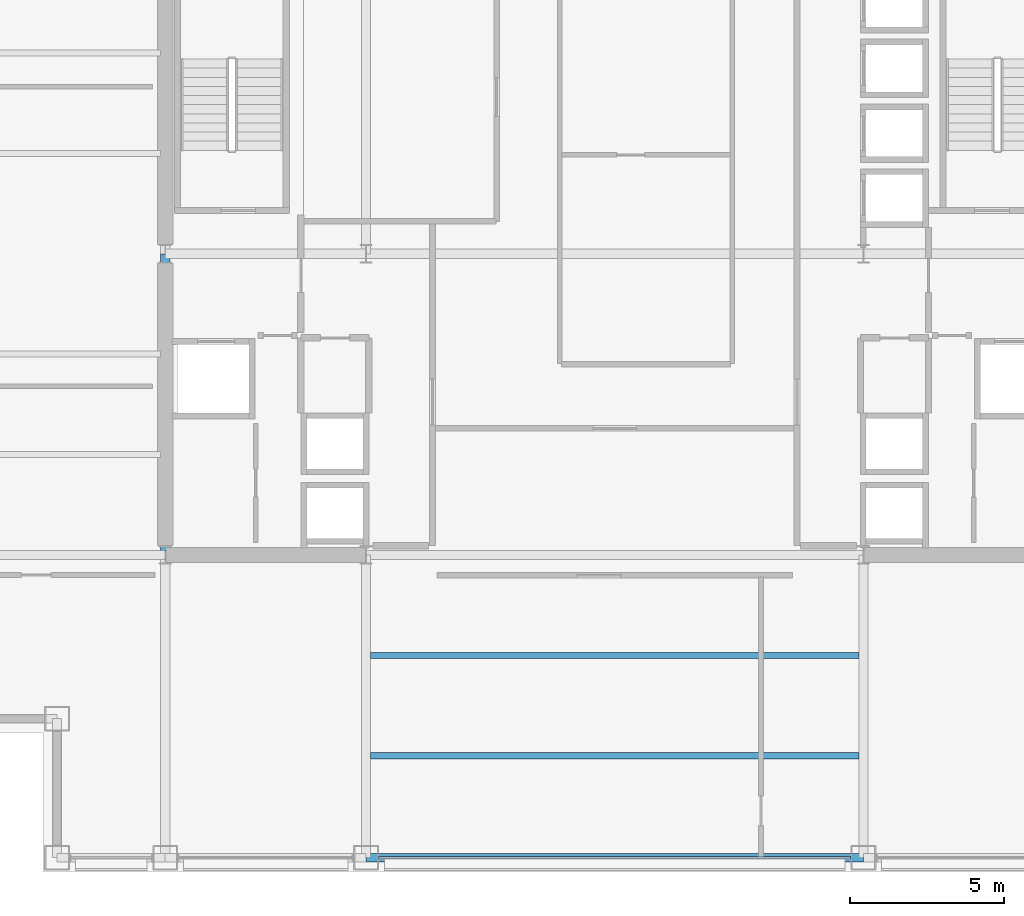
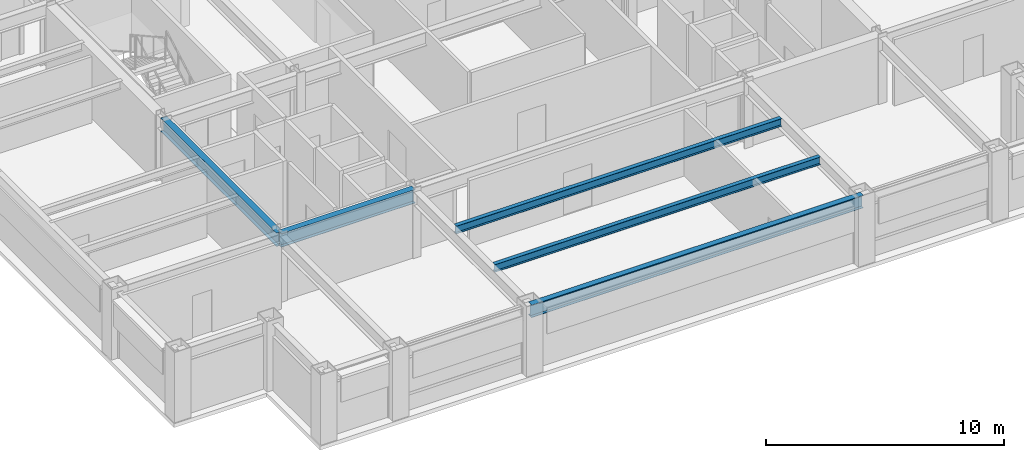
# One storey, part 5 of 29: 5 beams, 1 member, 1 element without a shape of its own.
"""IFC4 building model written with IfcOpenShell, lengths in metres."""

from ifc_helpers import new_model, si_unit, direction, frame, origin, origin_2d, place, context, subcontext, project, spatial, hollow_rectangle, i_section, extrude, material, layer, layer_set, material_profile, profile_set, type_object, element, aggregate, save


model = new_model("IFC4")

# Units and contexts
model_context = context("Model", 3, precision=1e-05, world=origin(), true_north=direction((0.0, 1.0)))
body_context = subcontext(model_context, "Body", "Model", "MODEL_VIEW")
ifc_project = project(units=[si_unit("LENGTHUNIT", "METRE"), si_unit("AREAUNIT", "SQUARE_METRE"), si_unit("VOLUMEUNIT", "CUBIC_METRE"), si_unit("PLANEANGLEUNIT", "RADIAN"), si_unit("MASSUNIT", "GRAM", prefix="KILO")], contexts=[model_context])

# Site, building, storey
site_placement = place(None, origin())
site = spatial("IfcSite", under=ifc_project, at=site_placement, CompositionType="ELEMENT")
building_placement = place(site_placement, origin())
building = spatial("IfcBuilding", under=site, at=building_placement, Name="Brelmoor Portico Tower", CompositionType="ELEMENT")
storey_placement = place(building_placement, frame((0.0, 0.0, 138.60009765625)))
storey = spatial("IfcBuildingStorey", under=building, at=storey_placement, Name="L36", CompositionType="ELEMENT", Elevation=138.60009765625)

# Beams
ifc_material_1 = material(Name="Steel Q355B", Category="steel")
ifc_material_profile_1 = material_profile(ifc_material_1, i_section(OverallWidth=0.199951171875, OverallDepth=0.39990234375, WebThickness=0.008056640625, FlangeThickness=0.012939453125, at=origin_2d()), Name="HN 400x200x8x13")
ifc_profile_set_1 = profile_set([ifc_material_profile_1], Name="Steel Q355B")
beam_type_1 = type_object("IfcBeamType", Name="BM-JS-400", PredefinedType="JOIST", material=ifc_profile_set_1)
for number, where, z_axis, x_axis, name in (
    (1, (-7.89990234375, -16.25, 3.199951171875), (1.0, 0.0, 0.0), (0.0, 1.0, 0.0), "L36 Secondary Composite Joist JS-C01"),
    (2, (-7.89990234375, -13.0, 3.199951171875), (1.0, 0.0, 0.0), (0.0, 1.0, 0.0), "L36 Secondary Composite Joist JS-C02"),
):
    element("IfcBeam", number, at=place(storey_placement, frame(where, z_axis=z_axis, x_axis=x_axis)), inside=storey, type_object=beam_type_1, Name=name, PredefinedType="JOIST", context=body_context, shape_type="SweptSolid", body=[
        extrude(i_section(OverallWidth=0.199951171875, OverallDepth=0.39990234375, WebThickness=0.008056640625, FlangeThickness=0.012939453125, at=origin_2d()), origin(), (0.0, 0.0, 1.0), 15.7998046875),
    ])
ifc_material_profile_2 = material_profile(ifc_material_1, i_section(OverallWidth=0.300048828125, OverallDepth=0.699951171875, WebThickness=0.012939453125, FlangeThickness=0.02392578125, at=origin_2d()), Name="HN 700x300x13x24")
ifc_profile_set_2 = profile_set([ifc_material_profile_2], Name="Steel Q355B")
beam_type_2 = type_object("IfcBeamType", Name="BM-PG-700", PredefinedType="BEAM", material=ifc_profile_set_2)
beam_1_placement = place(storey_placement, frame((-14.550048828125, -9.75, 3.0498046875), z_axis=(0.0, 1.0, 0.0), x_axis=(-1.0, 0.0, 0.0)))
element("IfcBeam", 3, at=beam_1_placement, inside=storey, type_object=beam_type_2, Name="L36 Primary Floor Girder PG-02", PredefinedType="BEAM", context=body_context, shape_type="SweptSolid", body=[
    extrude(i_section(OverallWidth=0.300048828125, OverallDepth=0.699951171875, WebThickness=0.012939453125, FlangeThickness=0.02392578125, at=origin_2d()), origin(), (0.0, 0.0, 1.0), 9.75),
])
beam_2_placement = place(storey_placement, frame((-14.550048828125, -9.75, 3.0498046875), z_axis=(1.0, 0.0, 0.0), x_axis=(0.0, 1.0, 0.0)))
element("IfcBeam", 4, at=beam_2_placement, inside=storey, type_object=beam_type_2, Name="L36 Primary Floor Girder PG-15", PredefinedType="BEAM", context=body_context, shape_type="SweptSolid", body=[
    extrude(i_section(OverallWidth=0.300048828125, OverallDepth=0.699951171875, WebThickness=0.012939453125, FlangeThickness=0.02392578125, at=origin_2d()), origin(), (0.0, 0.0, 1.0), 6.5),
])
ifc_material_profile_3 = material_profile(ifc_material_1, i_section(OverallWidth=0.280029296875, OverallDepth=0.64990234375, WebThickness=0.012939453125, FlangeThickness=0.02197265625, at=origin_2d()), Name="HN 650x280x13x22")
ifc_profile_set_3 = profile_set([ifc_material_profile_3], Name="Steel Q355B")
beam_type_3 = type_object("IfcBeamType", Name="BM-SP-650", PredefinedType="SPANDREL", material=ifc_profile_set_3)
beam_3_placement = place(storey_placement, frame((-8.050048828125, -19.550048828125, 3.074951171875), z_axis=(1.0, 0.0, 0.0), x_axis=(0.0, 1.0, 0.0)))
element("IfcBeam", 5, at=beam_3_placement, inside=storey, type_object=beam_type_3, Name="L36 Perimeter Spandrel Beam SP-03", PredefinedType="SPANDREL", context=body_context, shape_type="SweptSolid", body=[
    extrude(i_section(OverallWidth=0.280029296875, OverallDepth=0.64990234375, WebThickness=0.012939453125, FlangeThickness=0.02197265625, at=origin_2d()), origin(), (0.0, 0.0, 1.0), 16.10009765625),
])

# Curtain wall, member
ifc_material_2 = material(Name="Anodised Aluminium Alloy 6063-T6", Category="aluminium")
ifc_layer = layer(ifc_material_2, 0.179931640625)
ifc_layer_set = layer_set([ifc_layer], Name="Anodised Aluminium Alloy 6063-T6")
curtain_wall_type = type_object("IfcCurtainWallType", Name="CW-TOWER-Z2-XB", PredefinedType="NOTDEFINED", material=ifc_layer_set)
curtain_wall_placement = place(storey_placement, origin())
curtain_wall = element("IfcCurtainWall", 6, at=curtain_wall_placement, inside=storey, type_object=curtain_wall_type, Name="L36 Curtain Wall CW-L36-01-3", PredefinedType="NOTDEFINED")
ifc_material_profile_4 = material_profile(ifc_material_2, hollow_rectangle(XDim=0.06494140625, YDim=0.139892578125, WallThickness=0.00390625, at=origin_2d()), Name="ALU TRANSOM 65x140")
ifc_profile_set_4 = profile_set([ifc_material_profile_4], Name="Anodised Aluminium Alloy 6063-T6")
member_type = type_object("IfcMemberType", Name="MB-CW-TRAN-140", PredefinedType="USERDEFINED", material=ifc_profile_set_4)
member_placement = place(storey_placement, frame((-7.639892578125, -19.550048828125, 3.329833984375), z_axis=(1.0, 0.0, 0.0), x_axis=(0.0, 1.0, 0.0)))
member = element("IfcMember", 7, at=member_placement, type_object=member_type, Name="CW-L36-01-3 Transom 1-00", ObjectType="TRANSOM", PredefinedType="USERDEFINED", context=body_context, shape_type="SweptSolid", body=[
    extrude(hollow_rectangle(XDim=0.06494140625, YDim=0.139892578125, WallThickness=0.00390625, at=origin_2d()), origin(), (0.0, 0.0, 1.0), 15.27978515625),
])
aggregate(curtain_wall, [member])

save(model, "model.ifc")
